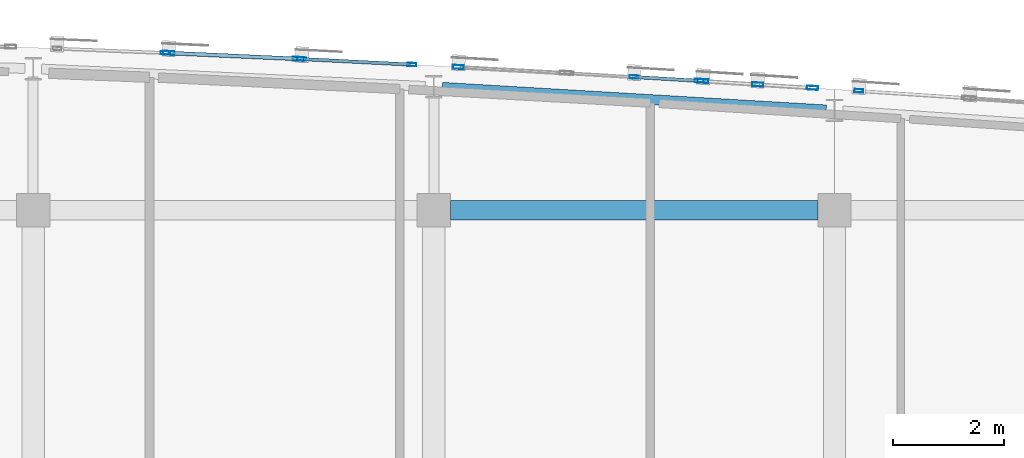
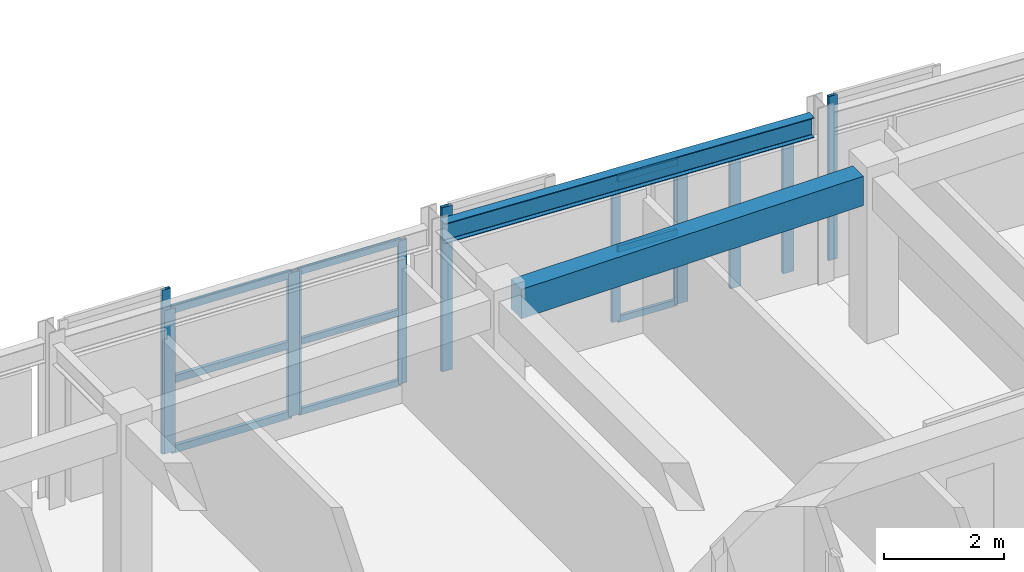
# One storey, part 22 of 50: 21 members, 2 beams, 7 elements without a shape of their own.
"""IFC4 building model written with IfcOpenShell, lengths in metres."""

from ifc_helpers import new_model, si_unit, direction, frame, origin, origin_2d, place, context, subcontext, project, spatial, rectangle, hollow_rectangle, i_section, extrude, material, layer, layer_set, material_profile, profile_set, type_object, element, aggregate, save


model = new_model("IFC4")

# Units and contexts
model_context = context("Model", 3, precision=1e-05, world=origin(), true_north=direction((0.0, 1.0)))
body_context = subcontext(model_context, "Body", "Model", "MODEL_VIEW")
ifc_project = project(units=[si_unit("LENGTHUNIT", "METRE"), si_unit("AREAUNIT", "SQUARE_METRE"), si_unit("VOLUMEUNIT", "CUBIC_METRE"), si_unit("PLANEANGLEUNIT", "RADIAN"), si_unit("MASSUNIT", "GRAM", prefix="KILO")], contexts=[model_context])

# Site, building, storey
site_placement = place(None, origin())
site = spatial("IfcSite", under=ifc_project, at=site_placement, CompositionType="ELEMENT")
building_placement = place(site_placement, origin())
building = spatial("IfcBuilding", under=site, at=building_placement, Name="Carrowvane Square Congress Hotel", CompositionType="ELEMENT")
storey_placement = place(building_placement, frame((0.0, 0.0, 22.800048828125)))
storey = spatial("IfcBuildingStorey", under=building, at=storey_placement, Name="L05", CompositionType="ELEMENT", Elevation=22.800048828125)

# Beams
ifc_material_1 = material(Name="Concrete C35/45", Category="concrete")
ifc_material_profile_1 = material_profile(ifc_material_1, rectangle(XDim=0.35009765625, YDim=0.60009765625, at=origin_2d()), Name="RC 350x600")
ifc_profile_set_1 = profile_set([ifc_material_profile_1], Name="Concrete C35/45")
beam_type_1 = type_object("IfcBeamType", Name="BM-RC-350x600", PredefinedType="BEAM", material=ifc_profile_set_1)
beam_1_placement = place(storey_placement, frame((119.89990234375, 113.39990234375, 3.050048828125), z_axis=(1.0, 0.0, 0.0), x_axis=(0.0, 1.0, 0.0)))
element("IfcBeam", 1, at=beam_1_placement, inside=storey, type_object=beam_type_1, Name="L06 girder R/16-17", PredefinedType="BEAM", context=body_context, shape_type="SweptSolid", body=[
    extrude(rectangle(XDim=0.35009765625, YDim=0.60009765625, at=origin_2d()), origin(), (0.0, 0.0, 1.0), 6.60009765625),
])
ifc_material_2 = material(Name="Steel S355", Category="steel")
ifc_material_profile_2 = material_profile(ifc_material_2, i_section(OverallWidth=0.1787109375, OverallDepth=0.409423828125, WebThickness=0.0087890625, FlangeThickness=0.014404296875, FilletRadius=0.01025390625, at=origin_2d()), Name="UKB 406x178x67")
ifc_profile_set_2 = profile_set([ifc_material_profile_2], Name="Steel S355")
beam_type_2 = type_object("IfcBeamType", Name="BM-ST-UKB406", PredefinedType="BEAM", material=ifc_profile_set_2)
beam_2_placement = place(storey_placement, frame((119.749755859375, 115.60888671875, 3.145263671875), z_axis=(0.99827559088, -0.058701317296, 0.0), x_axis=(0.058701317296, 0.99827559088, 0.0)))
element("IfcBeam", 2, at=beam_2_placement, inside=storey, type_object=beam_type_2, Name="L06 curved north spandrel", PredefinedType="BEAM", context=body_context, shape_type="SweptSolid", body=[
    extrude(i_section(OverallWidth=0.1787109375, OverallDepth=0.409423828125, WebThickness=0.0087890625, FlangeThickness=0.014404296875, FilletRadius=0.01025390625, at=origin_2d()), origin(), (0.0, 0.0, 1.0), 6.912353515625),
])

# Curtain wall, member
ifc_material_3 = material(Name="Anodised aluminium", Category="aluminium")
ifc_layer_1 = layer(ifc_material_3, 0.18603515625)
ifc_layer_set_1 = layer_set([ifc_layer_1], Name="Anodised aluminium")
curtain_wall_type_1 = type_object("IfcCurtainWallType", Name="CW-SYS-3", PredefinedType="NOTDEFINED", material=ifc_layer_set_1)
curtain_wall_1_placement = place(storey_placement, origin())
curtain_wall_1 = element("IfcCurtainWall", 3, at=curtain_wall_1_placement, inside=storey, type_object=curtain_wall_type_1, Name="L05 unitised curtain wall 338", PredefinedType="NOTDEFINED")
ifc_material_4 = material(Name="Anodised aluminium", Category="aluminium")
ifc_material_profile_3 = material_profile(ifc_material_4, hollow_rectangle(XDim=0.06005859375, YDim=0.159912109375, WallThickness=0.00390625, at=origin_2d()), Name="CW-ML 60x160x4")
ifc_profile_set_3 = profile_set([ifc_material_profile_3], Name="Anodised aluminium")
member_type_1 = type_object("IfcMemberType", Name="CW-MUL-1", PredefinedType="MULLION", material=ifc_profile_set_3)
member_1_placement = place(storey_placement, frame((114.77001953125, 116.228759765625, 0.0), z_axis=(0.0, 0.0, 1.0), x_axis=(0.040130957403, 0.999194428656, 0.0)))
member_1 = element("IfcMember", 4, at=member_1_placement, type_object=member_type_1, Name="CW-3 mullion 2", PredefinedType="MULLION", context=body_context, shape_type="SweptSolid", body=[
    extrude(hollow_rectangle(XDim=0.06005859375, YDim=0.159912109375, WallThickness=0.00390625, at=origin_2d()), origin(), (0.0, 0.0, 1.0), 3.349853515625),
])
aggregate(curtain_wall_1, [member_1])

# Curtain wall, members
ifc_material_5 = material(Name="Anodised aluminium", Category="aluminium")
ifc_layer_2 = layer(ifc_material_5, 0.2099609375)
ifc_layer_set_2 = layer_set([ifc_layer_2], Name="Anodised aluminium")
curtain_wall_type_2 = type_object("IfcCurtainWallType", Name="CW-SYS-5", PredefinedType="NOTDEFINED", material=ifc_layer_set_2)
curtain_wall_2_placement = place(storey_placement, origin())
curtain_wall_2 = element("IfcCurtainWall", 5, at=curtain_wall_2_placement, inside=storey, type_object=curtain_wall_type_2, Name="L05 unitised curtain wall 340", PredefinedType="NOTDEFINED")
member_2_placement = place(storey_placement, frame((117.22998046875, 116.116943359375, 0.0), z_axis=(0.0, 0.0, 1.0), x_axis=(0.050323791596, 0.998732955299, 0.0)))
member_2 = element("IfcMember", 6, at=member_2_placement, type_object=member_type_1, Name="CW-5 mullion 1", PredefinedType="MULLION", context=body_context, shape_type="SweptSolid", body=[
    extrude(hollow_rectangle(XDim=0.06005859375, YDim=0.159912109375, WallThickness=0.00390625, at=origin_2d()), origin(), (0.0, 0.0, 1.0), 2.925537109375),
])
member_3_placement = place(storey_placement, frame((119.20556640625, 116.017578125, 0.0), z_axis=(0.0, 0.0, 1.0), x_axis=(0.050323791596, 0.998732955299, 0.0)))
member_3 = element("IfcMember", 7, at=member_3_placement, type_object=member_type_1, Name="CW-5 mullion 2", PredefinedType="MULLION", context=body_context, shape_type="SweptSolid", body=[
    extrude(hollow_rectangle(XDim=0.06005859375, YDim=0.159912109375, WallThickness=0.00390625, at=origin_2d()), origin(), (0.0, 0.0, 1.0), 2.925537109375),
])

ifc_material_6 = material(Name="Anodised aluminium", Category="aluminium")
ifc_layer_3 = layer(ifc_material_6, 0.23388671875)
ifc_layer_set_3 = layer_set([ifc_layer_3], Name="Anodised aluminium")
curtain_wall_type_3 = type_object("IfcCurtainWallType", Name="CW-SYS-7", PredefinedType="NOTDEFINED", material=ifc_layer_set_3)
curtain_wall_3_placement = place(storey_placement, origin())
curtain_wall_3 = element("IfcCurtainWall", 8, at=curtain_wall_3_placement, inside=storey, type_object=curtain_wall_type_3, Name="L05 unitised curtain wall 342", PredefinedType="NOTDEFINED")
member_4_placement = place(storey_placement, frame((123.199951171875, 115.795166015625, 0.0), z_axis=(0.0, 0.0, 1.0), x_axis=(0.058851249486, 0.998266763162, 0.0)))
member_4 = element("IfcMember", 9, at=member_4_placement, type_object=member_type_1, Name="CW-7 mullion 2", PredefinedType="MULLION", context=body_context, shape_type="SweptSolid", body=[
    extrude(hollow_rectangle(XDim=0.06005859375, YDim=0.159912109375, WallThickness=0.00390625, at=origin_2d()), origin(), (0.0, 0.0, 1.0), 2.925537109375),
])
member_5_placement = place(storey_placement, frame((124.3701171875, 115.72607421875, 0.0), z_axis=(0.0, 0.0, 1.0), x_axis=(0.058851249486, 0.998266763162, 0.0)))
member_5 = element("IfcMember", 10, at=member_5_placement, type_object=member_type_1, Name="CW-7 mullion 3", PredefinedType="MULLION", context=body_context, shape_type="SweptSolid", body=[
    extrude(hollow_rectangle(XDim=0.06005859375, YDim=0.159912109375, WallThickness=0.00390625, at=origin_2d()), origin(), (0.0, 0.0, 1.0), 2.925537109375),
])

# Curtain wall, member
ifc_material_7 = material(Name="Anodised aluminium", Category="aluminium")
ifc_layer_4 = layer(ifc_material_7, 0.162109375)
ifc_layer_set_4 = layer_set([ifc_layer_4], Name="Anodised aluminium")
curtain_wall_type_4 = type_object("IfcCurtainWallType", Name="CW-SYS-1", PredefinedType="NOTDEFINED", material=ifc_layer_set_4)
curtain_wall_4_placement = place(storey_placement, origin())
curtain_wall_4 = element("IfcCurtainWall", 11, at=curtain_wall_4_placement, inside=storey, type_object=curtain_wall_type_4, Name="L05 unitised curtain wall 344", PredefinedType="NOTDEFINED")
member_6_placement = place(storey_placement, frame((127.23828125, 115.545654296875, 0.0), z_axis=(0.0, 0.0, 1.0), x_axis=(0.065413941589, 0.9978582145, 0.0)))
member_6 = element("IfcMember", 12, at=member_6_placement, type_object=member_type_1, Name="CW-1 mullion 1", PredefinedType="MULLION", context=body_context, shape_type="SweptSolid", body=[
    extrude(hollow_rectangle(XDim=0.06005859375, YDim=0.159912109375, WallThickness=0.00390625, at=origin_2d()), origin(), (0.0, 0.0, 1.0), 3.349853515625),
])
aggregate(curtain_wall_4, [member_6])

# Curtain wall, members
ifc_material_8 = material(Name="Anodised aluminium", Category="aluminium")
ifc_layer_5 = layer(ifc_material_8, 0.197998046875)
ifc_layer_set_5 = layer_set([ifc_layer_5], Name="Anodised aluminium")
curtain_wall_type_5 = type_object("IfcCurtainWallType", Name="CW-SYS-4", PredefinedType="NOTDEFINED", material=ifc_layer_set_5)
curtain_wall_5_placement = place(storey_placement, origin())
curtain_wall_5 = element("IfcCurtainWall", 13, at=curtain_wall_5_placement, inside=storey, type_object=curtain_wall_type_5, Name="L05 unitised curtain wall 339", PredefinedType="NOTDEFINED")
ifc_material_9 = material(Name="Anodised aluminium", Category="aluminium")
ifc_material_profile_4 = material_profile(ifc_material_9, hollow_rectangle(XDim=0.070068359375, YDim=0.199951171875, WallThickness=0.0048828125, at=origin_2d()), Name="CW-ML 70x200x5")
ifc_profile_set_4 = profile_set([ifc_material_profile_4], Name="Anodised aluminium")
member_type_2 = type_object("IfcMemberType", Name="CW-MUL-2", PredefinedType="MULLION", material=ifc_profile_set_4)
member_7_placement = place(storey_placement, frame((114.8349609375, 116.22607421875, 0.0), z_axis=(0.0, 0.0, 1.0), x_axis=(0.045411059449, 0.998968385726, 0.0)))
member_7 = element("IfcMember", 14, at=member_7_placement, type_object=member_type_2, Name="CW-4 mullion 1", PredefinedType="MULLION", context=body_context, shape_type="SweptSolid", body=[
    extrude(hollow_rectangle(XDim=0.070068359375, YDim=0.199951171875, WallThickness=0.0048828125, at=origin_2d()), origin(), (0.0, 0.0, 1.0), 2.925537109375),
])
member_8_placement = place(storey_placement, frame((117.1650390625, 116.1201171875, 0.0), z_axis=(0.0, 0.0, 1.0), x_axis=(0.045411059449, 0.998968385726, 0.0)))
member_8 = element("IfcMember", 15, at=member_8_placement, type_object=member_type_2, Name="CW-4 mullion 2", PredefinedType="MULLION", context=body_context, shape_type="SweptSolid", body=[
    extrude(hollow_rectangle(XDim=0.070068359375, YDim=0.199951171875, WallThickness=0.0048828125, at=origin_2d()), origin(), (0.0, 0.0, 1.0), 2.925537109375),
])

# Curtain wall, member
ifc_material_10 = material(Name="Anodised aluminium", Category="aluminium")
ifc_layer_6 = layer(ifc_material_10, 0.221923828125)
ifc_layer_set_6 = layer_set([ifc_layer_6], Name="Anodised aluminium")
curtain_wall_type_6 = type_object("IfcCurtainWallType", Name="CW-SYS-6", PredefinedType="NOTDEFINED", material=ifc_layer_set_6)
curtain_wall_6_placement = place(storey_placement, origin())
curtain_wall_6 = element("IfcCurtainWall", 16, at=curtain_wall_6_placement, inside=storey, type_object=curtain_wall_type_6, Name="L05 unitised curtain wall 341", PredefinedType="NOTDEFINED")
member_9_placement = place(storey_placement, frame((120.03955078125, 115.973388671875, 0.0), z_axis=(0.0, 0.0, 1.0), x_axis=(0.054815980317, 0.998496473856, 0.0)))
member_9 = element("IfcMember", 17, at=member_9_placement, type_object=member_type_2, Name="CW-6 mullion 1", PredefinedType="MULLION", context=body_context, shape_type="SweptSolid", body=[
    extrude(hollow_rectangle(XDim=0.070068359375, YDim=0.199951171875, WallThickness=0.0048828125, at=origin_2d()), origin(), (0.0, 0.0, 1.0), 3.349853515625),
])
aggregate(curtain_wall_6, [member_9])

# Curtain wall, members
ifc_material_11 = material(Name="Anodised aluminium", Category="aluminium")
ifc_layer_7 = layer(ifc_material_11, 0.24609375)
ifc_layer_set_7 = layer_set([ifc_layer_7], Name="Anodised aluminium")
curtain_wall_type_7 = type_object("IfcCurtainWallType", Name="CW-SYS-8", PredefinedType="NOTDEFINED", material=ifc_layer_set_7)
curtain_wall_7_placement = place(storey_placement, origin())
curtain_wall_7 = element("IfcCurtainWall", 18, at=curtain_wall_7_placement, inside=storey, type_object=curtain_wall_type_7, Name="L05 unitised curtain wall 343", PredefinedType="NOTDEFINED")
member_10_placement = place(storey_placement, frame((124.434814453125, 115.72216796875, 0.0), z_axis=(0.0, 0.0, 1.0), x_axis=(0.062397170272, 0.998051398046, 0.0)))
member_10 = element("IfcMember", 19, at=member_10_placement, type_object=member_type_2, Name="CW-8 mullion 1", PredefinedType="MULLION", context=body_context, shape_type="SweptSolid", body=[
    extrude(hollow_rectangle(XDim=0.070068359375, YDim=0.199951171875, WallThickness=0.0048828125, at=origin_2d()), origin(), (0.0, 0.0, 1.0), 2.925537109375),
])
member_11_placement = place(storey_placement, frame((125.419921875, 115.66064453125, 0.0), z_axis=(0.0, 0.0, 1.0), x_axis=(0.062397170272, 0.998051398046, 0.0)))
member_11 = element("IfcMember", 20, at=member_11_placement, type_object=member_type_2, Name="CW-8 mullion 2", PredefinedType="MULLION", context=body_context, shape_type="SweptSolid", body=[
    extrude(hollow_rectangle(XDim=0.070068359375, YDim=0.199951171875, WallThickness=0.0048828125, at=origin_2d()), origin(), (0.0, 0.0, 1.0), 2.925537109375),
])
member_12_placement = place(storey_placement, frame((126.405029296875, 115.598876953125, 0.0), z_axis=(0.0, 0.0, 1.0), x_axis=(0.062397170272, 0.998051398046, 0.0)))
member_12 = element("IfcMember", 21, at=member_12_placement, type_object=member_type_2, Name="CW-8 mullion 3", PredefinedType="MULLION", context=body_context, shape_type="SweptSolid", body=[
    extrude(hollow_rectangle(XDim=0.070068359375, YDim=0.199951171875, WallThickness=0.0048828125, at=origin_2d()), origin(), (0.0, 0.0, 1.0), 2.925537109375),
])
aggregate(curtain_wall_7, [member_10, member_11, member_12])

# Member
ifc_material_12 = material(Name="Anodised aluminium", Category="aluminium")
ifc_material_profile_5 = material_profile(ifc_material_12, hollow_rectangle(XDim=0.06005859375, YDim=0.1298828125, WallThickness=0.00390625, at=origin_2d()), Name="CW-TR 60x130x4")
ifc_profile_set_5 = profile_set([ifc_material_profile_5], Name="Anodised aluminium")
member_type_3 = type_object("IfcMemberType", Name="CW-TRN-1", PredefinedType="USERDEFINED", material=ifc_profile_set_5)
member_13_placement = place(storey_placement, frame((117.260009765625, 116.115478515625, 0.030029296875), z_axis=(0.998735138435, -0.050280446047, 0.0), x_axis=(0.050280446047, 0.998735138435, 0.0)))
member_13 = element("IfcMember", 22, at=member_13_placement, type_object=member_type_3, Name="CW-5 transom 1.1", ObjectType="TRANSOM", PredefinedType="USERDEFINED", context=body_context, shape_type="SweptSolid", body=[
    extrude(hollow_rectangle(XDim=0.06005859375, YDim=0.1298828125, WallThickness=0.00390625, at=origin_2d()), origin(), (0.0, 0.0, 1.0), 1.91796875),
])

member_14_placement = place(storey_placement, frame((117.260009765625, 116.115478515625, 1.462646484375), z_axis=(0.998735138435, -0.050280446047, 0.0), x_axis=(0.050280446047, 0.998735138435, 0.0)))
member_14 = element("IfcMember", 23, at=member_14_placement, type_object=member_type_3, Name="CW-5 transom 1.2", ObjectType="TRANSOM", PredefinedType="USERDEFINED", context=body_context, shape_type="SweptSolid", body=[
    extrude(hollow_rectangle(XDim=0.06005859375, YDim=0.1298828125, WallThickness=0.00390625, at=origin_2d()), origin(), (0.0, 0.0, 1.0), 1.91796875),
])

member_15_placement = place(storey_placement, frame((117.260009765625, 116.115478515625, 2.8955078125), z_axis=(0.998735138435, -0.050280446047, 0.0), x_axis=(0.050280446047, 0.998735138435, 0.0)))
member_15 = element("IfcMember", 24, at=member_15_placement, type_object=member_type_3, Name="CW-5 transom 1.3", ObjectType="TRANSOM", PredefinedType="USERDEFINED", context=body_context, shape_type="SweptSolid", body=[
    extrude(hollow_rectangle(XDim=0.06005859375, YDim=0.1298828125, WallThickness=0.00390625, at=origin_2d()), origin(), (0.0, 0.0, 1.0), 1.91796875),
])

aggregate(curtain_wall_2, [member_2, member_3, member_13, member_14, member_15])

member_16_placement = place(storey_placement, frame((123.22998046875, 115.793212890625, 0.030029296875), z_axis=(0.998267553014, -0.058837850057, 0.0), x_axis=(0.058837850057, 0.998267553014, 0.0)))
member_16 = element("IfcMember", 25, at=member_16_placement, type_object=member_type_3, Name="CW-7 transom 2.1", ObjectType="TRANSOM", PredefinedType="USERDEFINED", context=body_context, shape_type="SweptSolid", body=[
    extrude(hollow_rectangle(XDim=0.06005859375, YDim=0.1298828125, WallThickness=0.00390625, at=origin_2d()), origin(), (0.0, 0.0, 1.0), 1.112060546875),
])

member_17_placement = place(storey_placement, frame((123.22998046875, 115.793212890625, 1.462646484375), z_axis=(0.998267553014, -0.058837850057, 0.0), x_axis=(0.058837850057, 0.998267553014, 0.0)))
member_17 = element("IfcMember", 26, at=member_17_placement, type_object=member_type_3, Name="CW-7 transom 2.2", ObjectType="TRANSOM", PredefinedType="USERDEFINED", context=body_context, shape_type="SweptSolid", body=[
    extrude(hollow_rectangle(XDim=0.06005859375, YDim=0.1298828125, WallThickness=0.00390625, at=origin_2d()), origin(), (0.0, 0.0, 1.0), 1.112060546875),
])

member_18_placement = place(storey_placement, frame((123.22998046875, 115.793212890625, 2.8955078125), z_axis=(0.998267553014, -0.058837850057, 0.0), x_axis=(0.058837850057, 0.998267553014, 0.0)))
member_18 = element("IfcMember", 27, at=member_18_placement, type_object=member_type_3, Name="CW-7 transom 2.3", ObjectType="TRANSOM", PredefinedType="USERDEFINED", context=body_context, shape_type="SweptSolid", body=[
    extrude(hollow_rectangle(XDim=0.06005859375, YDim=0.1298828125, WallThickness=0.00390625, at=origin_2d()), origin(), (0.0, 0.0, 1.0), 1.112060546875),
])

aggregate(curtain_wall_3, [member_4, member_5, member_16, member_17, member_18])

ifc_material_13 = material(Name="Anodised aluminium", Category="aluminium")
ifc_material_profile_6 = material_profile(ifc_material_13, hollow_rectangle(XDim=0.070068359375, YDim=0.14990234375, WallThickness=0.0048828125, at=origin_2d()), Name="CW-TR 70x150x5")
ifc_profile_set_6 = profile_set([ifc_material_profile_6], Name="Anodised aluminium")
member_type_4 = type_object("IfcMemberType", Name="CW-TRN-2", PredefinedType="USERDEFINED", material=ifc_profile_set_6)
member_19_placement = place(storey_placement, frame((114.869873046875, 116.224365234375, 0.034912109375), z_axis=(0.998967650095, -0.045427239219, 0.0), x_axis=(0.045427239219, 0.998967650095, 0.0)))
member_19 = element("IfcMember", 28, at=member_19_placement, type_object=member_type_4, Name="CW-4 transom 1.1", ObjectType="TRANSOM", PredefinedType="USERDEFINED", context=body_context, shape_type="SweptSolid", body=[
    extrude(hollow_rectangle(XDim=0.070068359375, YDim=0.14990234375, WallThickness=0.0048828125, at=origin_2d()), origin(), (0.0, 0.0, 1.0), 2.2626953125),
])

member_20_placement = place(storey_placement, frame((114.869873046875, 116.224365234375, 1.462646484375), z_axis=(0.998967650095, -0.045427239219, 0.0), x_axis=(0.045427239219, 0.998967650095, 0.0)))
member_20 = element("IfcMember", 29, at=member_20_placement, type_object=member_type_4, Name="CW-4 transom 1.2", ObjectType="TRANSOM", PredefinedType="USERDEFINED", context=body_context, shape_type="SweptSolid", body=[
    extrude(hollow_rectangle(XDim=0.070068359375, YDim=0.14990234375, WallThickness=0.0048828125, at=origin_2d()), origin(), (0.0, 0.0, 1.0), 2.2626953125),
])

member_21_placement = place(storey_placement, frame((114.869873046875, 116.224365234375, 2.890625), z_axis=(0.998967650095, -0.045427239219, 0.0), x_axis=(0.045427239219, 0.998967650095, 0.0)))
member_21 = element("IfcMember", 30, at=member_21_placement, type_object=member_type_4, Name="CW-4 transom 1.3", ObjectType="TRANSOM", PredefinedType="USERDEFINED", context=body_context, shape_type="SweptSolid", body=[
    extrude(hollow_rectangle(XDim=0.070068359375, YDim=0.14990234375, WallThickness=0.0048828125, at=origin_2d()), origin(), (0.0, 0.0, 1.0), 2.2626953125),
])

aggregate(curtain_wall_5, [member_7, member_8, member_19, member_20, member_21])

save(model, "model.ifc")
